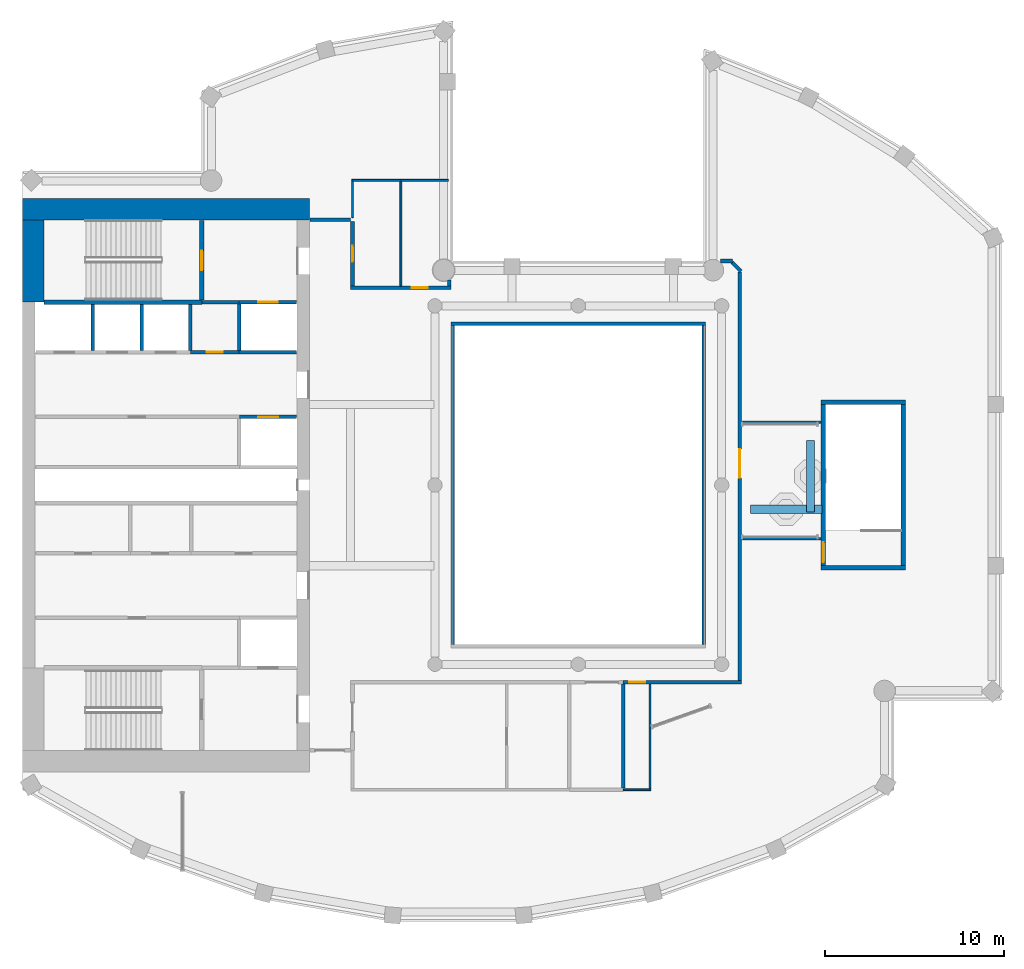
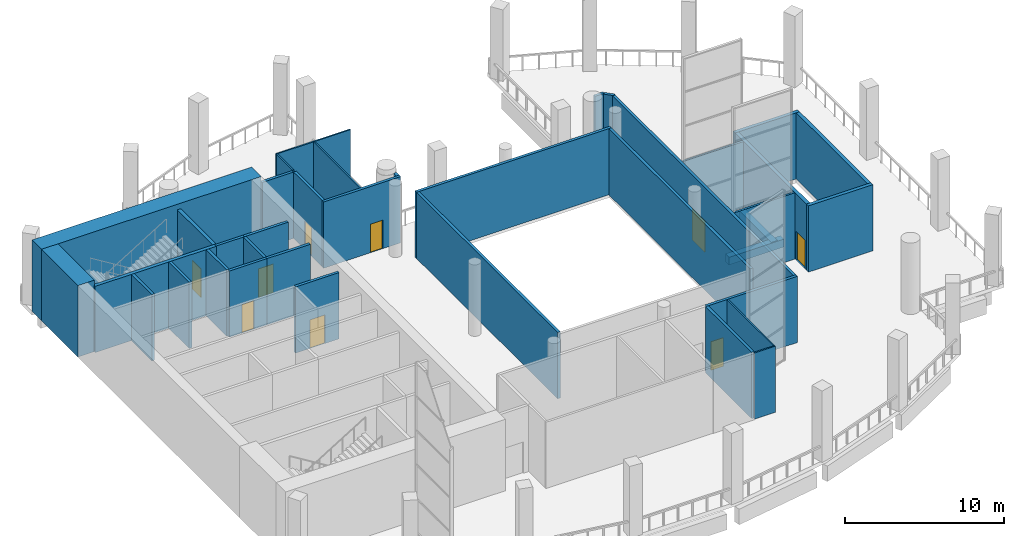
# One storey, part 6 of 12: 39 walls, 9 doors, 9 openings.
"""IFC4 building model written with IfcOpenShell, lengths in metres."""

from ifc_helpers import new_model, si_unit, direction, frame, frame_2d, origin, place, context, subcontext, project, spatial, rectangle, extrude, material, layer, layer_set, type_object, element, fill, save


model = new_model("IFC4")

# Units and contexts
model_context = context("Model", 3, precision=1e-05, world=origin(), true_north=direction((0.0, 1.0)))
body_context = subcontext(model_context, "Body", "Model", "MODEL_VIEW")
ifc_project = project(units=[si_unit("LENGTHUNIT", "METRE"), si_unit("AREAUNIT", "SQUARE_METRE"), si_unit("VOLUMEUNIT", "CUBIC_METRE"), si_unit("PLANEANGLEUNIT", "RADIAN"), si_unit("MASSUNIT", "GRAM", prefix="KILO")], contexts=[model_context])

# Site, building, storey
site_placement = place(None, origin())
site = spatial("IfcSite", under=ifc_project, at=site_placement, CompositionType="ELEMENT")
building_placement = place(site_placement, origin())
building = spatial("IfcBuilding", under=site, at=building_placement, Name="Cypress Arch Tower", CompositionType="ELEMENT")
storey_placement = place(building_placement, frame((0.0, 0.0, 329.5)))
storey = spatial("IfcBuildingStorey", under=building, at=storey_placement, Name="L75", CompositionType="ELEMENT", Elevation=329.5)

# Walls
ifc_material_1 = material(Name="Concrete C60/75", Category="concrete")
ifc_layer_1 = layer(ifc_material_1, 1.199951171875)
ifc_layer_set_1 = layer_set([ifc_layer_1], Name="Core wall CW1200 C60/75")
wall_type_1 = type_object("IfcWallType", Name="Core wall CW1200 C60/75", PredefinedType="SHEAR", material=ifc_layer_set_1)
wall_1_placement = place(storey_placement, frame((-30.0, 15.39990234375, 0.0), z_axis=(0.0, 0.0, 1.0), x_axis=(1.0, 0.0, 0.0)))
element("IfcWall", 1, at=wall_1_placement, inside=storey, type_object=wall_type_1, Name="Core wall", PredefinedType="SHEAR", context=body_context, shape_type="SweptSolid", body=[
    extrude(rectangle(XDim=16.0, YDim=1.199951171875, at=frame_2d((8.0, 0.0))), origin(), (0.0, 0.0, 1.0), 5.5),
])
wall_2_placement = place(storey_placement, frame((-29.39990234375, 10.199951171875, 0.0), z_axis=(0.0, 0.0, 1.0), x_axis=(0.0, 1.0, 0.0)))
element("IfcWall", 2, at=wall_2_placement, inside=storey, type_object=wall_type_1, Name="Core wall", PredefinedType="SHEAR", context=body_context, shape_type="SweptSolid", body=[
    extrude(rectangle(XDim=4.60009765625, YDim=1.199951171875, at=frame_2d((2.300048828125, 0.0))), origin(), (0.0, 0.0, 1.0), 5.5),
])

# Wall, opening, door
ifc_material_2 = material(Name="Concrete blockwork, plastered, rated", Category="masonry")
ifc_layer_2 = layer(ifc_material_2, 0.199951171875)
ifc_layer_set_2 = layer_set([ifc_layer_2], Name="Corridor wall FW200")
wall_type_2 = type_object("IfcWallType", Name="Corridor wall FW200", PredefinedType="PARTITIONING", material=ifc_layer_set_2)
wall_3_placement = place(storey_placement, frame((-20.639892578125, 7.39990234375, 0.0), z_axis=(0.0, 0.0, 1.0), x_axis=(1.0, 0.0, 0.0)))
wall_3 = element("IfcWall", 3, at=wall_3_placement, inside=storey, type_object=wall_type_2, Name="Corridor wall", PredefinedType="PARTITIONING", context=body_context, shape_type="SweptSolid", body=[
    extrude(rectangle(XDim=2.719970703125, YDim=0.199951171875, at=frame_2d((1.35986328125, 0.0))), origin(), (0.0, 0.0, 1.0), 5.097900390625),
])
opening_1_placement = place(wall_3_placement, frame((0.89990234375, 0.0, 0.0)))
opening_1 = element("IfcOpeningElement", 4, at=opening_1_placement, cuts=wall_3, Name="Opening D05", PredefinedType="OPENING", context=body_context, shape_type="SweptSolid", body=[
    extrude(rectangle(XDim=0.89990234375, YDim=2.199951171875, at=frame_2d((0.449951171875, 1.10009765625))), frame((0.0, 0.10986328125, 0.0), z_axis=(0.0, -1.0, 0.0), x_axis=(1.0, 0.0, 0.0)), (0.0, 0.0, 1.0), 0.219970703125),
])
ifc_material_3 = material(Name="Timber flush door", Category="wood")
door_type_1 = type_object("IfcDoorType", Name="Service door D05 900x2200", OperationType="SINGLE_SWING_LEFT", PredefinedType="DOOR", material=ifc_material_3)
door_1_placement = place(opening_1_placement, origin())
door_1 = element("IfcDoor", 5, at=door_1_placement, inside=storey, type_object=door_type_1, Name="Service door", OperationType="SINGLE_SWING_LEFT", OverallHeight=2.199951171875, OverallWidth=0.89990234375, PredefinedType="DOOR", context=body_context, shape_type="SweptSolid", body=[
    extrude(rectangle(XDim=0.89990234375, YDim=2.199951171875, at=frame_2d((0.449951171875, 1.10009765625))), frame((0.0, 0.02490234375, 0.0), z_axis=(0.0, -1.0, 0.0), x_axis=(1.0, 0.0, 0.0)), (0.0, 0.0, 1.0), 0.050048828125),
])
fill(opening_1, door_1)

# Walls
wall_4_placement = place(storey_placement, frame((-20.0, 10.199951171875, 0.0), z_axis=(0.0, 0.0, 1.0), x_axis=(1.0, 0.0, 0.0)))
element("IfcWall", 6, at=wall_4_placement, inside=storey, type_object=wall_type_2, Name="Corridor wall", PredefinedType="PARTITIONING", context=body_context, shape_type="SweptSolid", body=[
    extrude(rectangle(XDim=2.080078125, YDim=0.199951171875, at=frame_2d((1.0400390625, 0.0))), origin(), (0.0, 0.0, 1.0), 5.097900390625),
])
wall_5_placement = place(storey_placement, frame((-13.969970703125, 14.800048828125, 0.0), z_axis=(0.0, 0.0, 1.0), x_axis=(1.0, 0.0, 0.0)))
element("IfcWall", 7, at=wall_5_placement, inside=storey, type_object=wall_type_2, Name="Corridor wall", PredefinedType="PARTITIONING", context=body_context, shape_type="SweptSolid", body=[
    extrude(rectangle(XDim=2.27001953125, YDim=0.199951171875, at=frame_2d((1.135009765625, 0.0))), origin(), (0.0, 0.0, 1.0), 5.097900390625),
])

# Wall, opening, door
wall_6_placement = place(storey_placement, frame((-11.60009765625, 11.10009765625, 0.0), z_axis=(0.0, 0.0, 1.0), x_axis=(0.0, 1.0, 0.0)))
wall_6 = element("IfcWall", 8, at=wall_6_placement, inside=storey, type_object=wall_type_2, Name="Corridor wall", PredefinedType="PARTITIONING", context=body_context, shape_type="SweptSolid", body=[
    extrude(rectangle(XDim=3.599853515625, YDim=0.199951171875, at=frame_2d((1.7998046875, 0.0))), origin(), (0.0, 0.0, 1.0), 5.097900390625),
])
opening_2_placement = place(wall_6_placement, frame((1.35009765625, 0.0, 0.0)))
opening_2 = element("IfcOpeningElement", 9, at=opening_2_placement, cuts=wall_6, Name="Opening D03", PredefinedType="OPENING", context=body_context, shape_type="SweptSolid", body=[
    extrude(rectangle(XDim=0.89990234375, YDim=2.199951171875, at=frame_2d((0.449951171875, 1.10009765625))), frame((0.0, 0.10986328125, 0.0), z_axis=(0.0, -1.0, 0.0), x_axis=(1.0, 0.0, 0.0)), (0.0, 0.0, 1.0), 0.219970703125),
])
ifc_material_4 = material(Name="Timber flush door, moisture resistant", Category="wood")
door_type_2 = type_object("IfcDoorType", Name="Bathroom door D03 900x2200", OperationType="SINGLE_SWING_LEFT", PredefinedType="DOOR", material=ifc_material_4)
door_2_placement = place(opening_2_placement, origin())
door_2 = element("IfcDoor", 10, at=door_2_placement, inside=storey, type_object=door_type_2, Name="Bathroom door", OperationType="SINGLE_SWING_RIGHT", OverallHeight=2.199951171875, OverallWidth=0.89990234375, PredefinedType="DOOR", context=body_context, shape_type="SweptSolid", body=[
    extrude(rectangle(XDim=0.89990234375, YDim=2.199951171875, at=frame_2d((0.449951171875, 1.10009765625))), frame((0.0, 0.02490234375, 0.0), z_axis=(0.0, -1.0, 0.0), x_axis=(1.0, 0.0, 0.0)), (0.0, 0.0, 1.0), 0.050048828125),
])
fill(opening_2, door_2)

wall_7_placement = place(storey_placement, frame((-11.699951171875, 11.0, 0.0), z_axis=(0.0, 0.0, 1.0), x_axis=(1.0, 0.0, 0.0)))
wall_7 = element("IfcWall", 11, at=wall_7_placement, inside=storey, type_object=wall_type_2, Name="Corridor wall", PredefinedType="PARTITIONING", context=body_context, shape_type="SweptSolid", body=[
    extrude(rectangle(XDim=5.599853515625, YDim=0.199951171875, at=frame_2d((2.7998046875, 0.0))), origin(), (0.0, 0.0, 1.0), 5.097900390625),
])
opening_3_placement = place(wall_7_placement, frame((3.39990234375, 0.0, 0.0)))
opening_3 = element("IfcOpeningElement", 12, at=opening_3_placement, cuts=wall_7, Name="Opening D03", PredefinedType="OPENING", context=body_context, shape_type="SweptSolid", body=[
    extrude(rectangle(XDim=0.89990234375, YDim=2.199951171875, at=frame_2d((0.449951171875, 1.10009765625))), frame((0.0, 0.10986328125, 0.0), z_axis=(0.0, -1.0, 0.0), x_axis=(1.0, 0.0, 0.0)), (0.0, 0.0, 1.0), 0.219970703125),
])
door_3_placement = place(opening_3_placement, origin())
door_3 = element("IfcDoor", 13, at=door_3_placement, inside=storey, type_object=door_type_2, Name="Bathroom door", OperationType="SINGLE_SWING_LEFT", OverallHeight=2.199951171875, OverallWidth=0.89990234375, PredefinedType="DOOR", context=body_context, shape_type="SweptSolid", body=[
    extrude(rectangle(XDim=0.89990234375, YDim=2.199951171875, at=frame_2d((0.449951171875, 1.10009765625))), frame((0.0, 0.02490234375, 0.0), z_axis=(0.0, -1.0, 0.0), x_axis=(1.0, 0.0, 0.0)), (0.0, 0.0, 1.0), 0.050048828125),
])
fill(opening_3, door_3)

# Walls
wall_8_placement = place(storey_placement, frame((-6.199951171875, 11.10009765625, 0.0), z_axis=(0.0, 0.0, 1.0), x_axis=(0.0, 1.0, 0.0)))
element("IfcWall", 14, at=wall_8_placement, inside=storey, type_object=wall_type_2, Name="Corridor wall", PredefinedType="PARTITIONING", context=body_context, shape_type="SweptSolid", body=[
    extrude(rectangle(XDim=0.337646484375, YDim=0.199951171875, at=frame_2d((0.1689453125, 0.0))), origin(), (0.0, 0.0, 1.0), 5.097900390625),
])
wall_9_placement = place(storey_placement, frame((-6.0, -8.89990234375, 0.0), z_axis=(0.0, 0.0, 1.0), x_axis=(0.0, 1.0, 0.0)))
element("IfcWall", 15, at=wall_9_placement, inside=storey, type_object=wall_type_2, Name="Corridor wall", PredefinedType="PARTITIONING", context=body_context, shape_type="SweptSolid", body=[
    extrude(rectangle(XDim=17.7998046875, YDim=0.199951171875, at=frame_2d((8.89990234375, 0.0))), origin(), (0.0, 0.0, 1.0), 5.097900390625),
])
wall_10_placement = place(storey_placement, frame((-6.10009765625, 9.0, 0.0), z_axis=(0.0, 0.0, 1.0), x_axis=(1.0, 0.0, 0.0)))
element("IfcWall", 16, at=wall_10_placement, inside=storey, type_object=wall_type_2, Name="Corridor wall", PredefinedType="PARTITIONING", context=body_context, shape_type="SweptSolid", body=[
    extrude(rectangle(XDim=14.2001953125, YDim=0.199951171875, at=frame_2d((7.10009765625, 0.0))), origin(), (0.0, 0.0, 1.0), 5.097900390625),
])

# Wall, opening, door
wall_11_placement = place(storey_placement, frame((3.47998046875, -11.0, 0.0), z_axis=(0.0, 0.0, 1.0), x_axis=(1.0, 0.0, 0.0)))
wall_11 = element("IfcWall", 17, at=wall_11_placement, inside=storey, type_object=wall_type_2, Name="Corridor wall", PredefinedType="PARTITIONING", context=body_context, shape_type="SweptSolid", body=[
    extrude(rectangle(XDim=6.6201171875, YDim=0.199951171875, at=frame_2d((3.31005859375, 0.0))), origin(), (0.0, 0.0, 1.0), 5.097900390625),
])
opening_4_placement = place(wall_11_placement, frame((0.35009765625, 0.0, 0.0)))
opening_4 = element("IfcOpeningElement", 18, at=opening_4_placement, cuts=wall_11, Name="Opening D03", PredefinedType="OPENING", context=body_context, shape_type="SweptSolid", body=[
    extrude(rectangle(XDim=0.89990234375, YDim=2.199951171875, at=frame_2d((0.449951171875, 1.10009765625))), frame((0.0, 0.10986328125, 0.0), z_axis=(0.0, -1.0, 0.0), x_axis=(1.0, 0.0, 0.0)), (0.0, 0.0, 1.0), 0.219970703125),
])
door_4_placement = place(opening_4_placement, origin())
door_4 = element("IfcDoor", 19, at=door_4_placement, inside=storey, type_object=door_type_2, Name="Bathroom door", OperationType="SINGLE_SWING_LEFT", OverallHeight=2.199951171875, OverallWidth=0.89990234375, PredefinedType="DOOR", context=body_context, shape_type="SweptSolid", body=[
    extrude(rectangle(XDim=0.89990234375, YDim=2.199951171875, at=frame_2d((0.449951171875, 1.10009765625))), frame((0.0, 0.02490234375, 0.0), z_axis=(0.0, -1.0, 0.0), x_axis=(1.0, 0.0, 0.0)), (0.0, 0.0, 1.0), 0.050048828125),
])
fill(opening_4, door_4)

# Walls
wall_12_placement = place(storey_placement, frame((8.0, -8.89990234375, 0.0), z_axis=(0.0, 0.0, 1.0), x_axis=(0.0, 1.0, 0.0)))
element("IfcWall", 20, at=wall_12_placement, inside=storey, type_object=wall_type_2, Name="Corridor wall", PredefinedType="PARTITIONING", context=body_context, shape_type="SweptSolid", body=[
    extrude(rectangle(XDim=17.7998046875, YDim=0.199951171875, at=frame_2d((8.89990234375, 0.0))), origin(), (0.0, 0.0, 1.0), 5.097900390625),
])
wall_13_placement = place(storey_placement, frame((8.9306640625, 12.5, 0.0), z_axis=(0.0, 0.0, 1.0), x_axis=(1.0, 0.0, 0.0)))
element("IfcWall", 21, at=wall_13_placement, inside=storey, type_object=wall_type_2, Name="Corridor wall", PredefinedType="PARTITIONING", context=body_context, shape_type="SweptSolid", body=[
    extrude(rectangle(XDim=0.66943359375, YDim=0.199951171875, at=frame_2d((0.334716796875, 0.0))), origin(), (0.0, 0.0, 1.0), 5.097900390625),
])
wall_14_placement = place(storey_placement, frame((9.57080078125, 12.42919921875, 0.0), z_axis=(0.0, 0.0, 1.0), x_axis=(0.707106781187, -0.707106781187, 0.0)))
element("IfcWall", 22, at=wall_14_placement, inside=storey, type_object=wall_type_2, Name="Corridor wall", PredefinedType="PARTITIONING", context=body_context, shape_type="SweptSolid", body=[
    extrude(rectangle(XDim=0.70703125, YDim=0.199951171875, at=frame_2d((0.353515625, 0.0))), origin(), (0.0, 0.0, 1.0), 5.097900390625),
])

# Wall, opening, door
wall_15_placement = place(storey_placement, frame((10.0, -10.89990234375, 0.0), z_axis=(0.0, 0.0, 1.0), x_axis=(0.0, 1.0, 0.0)))
wall_15 = element("IfcWall", 23, at=wall_15_placement, inside=storey, type_object=wall_type_2, Name="Corridor wall", PredefinedType="PARTITIONING", context=body_context, shape_type="SweptSolid", body=[
    extrude(rectangle(XDim=22.7998046875, YDim=0.199951171875, at=frame_2d((11.39990234375, 0.0))), origin(), (0.0, 0.0, 1.0), 5.097900390625),
])
opening_5_placement = place(wall_15_placement, frame((11.300048828125, 0.0, 0.0)))
opening_5 = element("IfcOpeningElement", 24, at=opening_5_placement, cuts=wall_15, Name="Opening D10", PredefinedType="OPENING", context=body_context, shape_type="SweptSolid", body=[
    extrude(rectangle(XDim=1.60009765625, YDim=2.39990234375, at=frame_2d((0.800048828125, 1.199951171875))), frame((0.0, 0.10986328125, 0.0), z_axis=(0.0, -1.0, 0.0), x_axis=(1.0, 0.0, 0.0)), (0.0, 0.0, 1.0), 0.219970703125),
])
ifc_material_5 = material(Name="Black aluminium glazed door", Category="aluminium")
door_type_3 = type_object("IfcDoorType", Name="Amenity door D10 1600x2400", OperationType="DOUBLE_DOOR_SINGLE_SWING", PredefinedType="DOOR", material=ifc_material_5)
door_5_placement = place(opening_5_placement, origin())
door_5 = element("IfcDoor", 25, at=door_5_placement, inside=storey, type_object=door_type_3, Name="Amenity door", OperationType="DOUBLE_DOOR_SINGLE_SWING", OverallHeight=2.39990234375, OverallWidth=1.60009765625, PredefinedType="DOOR", context=body_context, shape_type="SweptSolid", body=[
    extrude(rectangle(XDim=1.60009765625, YDim=2.39990234375, at=frame_2d((0.800048828125, 1.199951171875))), frame((0.0, 0.02490234375, 0.0), z_axis=(0.0, -1.0, 0.0), x_axis=(1.0, 0.0, 0.0)), (0.0, 0.0, 1.0), 0.050048828125),
])
fill(opening_5, door_5)

# Walls
ifc_material_6 = material(Name="Concrete C40/50, waterproofed", Category="concrete")
ifc_layer_3 = layer(ifc_material_6, 0.449951171875)
ifc_layer_set_3 = layer_set([ifc_layer_3], Name="Deck planter wall PW450-D")
wall_type_3 = type_object("IfcWallType", Name="Deck planter wall PW450-D", PredefinedType="SOLIDWALL", material=ifc_layer_set_3)
for number, where, z_axis, x_axis, name in (
    (26, (13.949951171875, 2.5, 0.0), (0.0, 0.0, 1.0), (0.0, -1.0, 0.0), "Deck planter wall L75 E1.1"),
    (27, (14.60009765625, -1.35009765625, 0.0), (0.0, 0.0, 1.0), (-1.0, 0.0, 0.0), "Deck planter wall L75 E2.1"),
):
    element("IfcWall", number, at=place(storey_placement, frame(where, z_axis=z_axis, x_axis=x_axis)), inside=storey, type_object=wall_type_3, Name=name, PredefinedType="SOLIDWALL", context=body_context, shape_type="SweptSolid", body=[
        extrude(rectangle(XDim=4.0, YDim=0.449951171875, at=frame_2d((2.0, 0.0))), origin(), (0.0, 0.0, 1.0), 0.60009765625),
    ])
ifc_material_7 = material(Name="Blockwork, plastered both sides", Category="masonry")
ifc_layer_4 = layer(ifc_material_7, 0.14990234375)
ifc_layer_set_4 = layer_set([ifc_layer_4], Name="Partition PW150")
wall_type_4 = type_object("IfcWallType", Name="Partition PW150", PredefinedType="PARTITIONING", material=ifc_layer_set_4)
for number, where, z_axis, x_axis, name in (
    (28, (10.10205078125, -3.0, 0.0), (0.0, 0.0, 1.0), (1.0, 0.0, 0.0), "Partition"),
    (29, (10.10205078125, 3.5, 0.0), (0.0, 0.0, 1.0), (1.0, 0.0, 0.0), "Partition"),
):
    element("IfcWall", number, at=place(storey_placement, frame(where, z_axis=z_axis, x_axis=x_axis)), inside=storey, type_object=wall_type_4, Name=name, PredefinedType="PARTITIONING", context=body_context, shape_type="SweptSolid", body=[
        extrude(rectangle(XDim=4.447998046875, YDim=0.14990234375, at=frame_2d((2.22412109375, 0.0))), origin(), (0.0, 0.0, 1.0), 5.097900390625),
    ])
ifc_material_8 = material(Name="Reinforced blockwork, plastered, rated", Category="masonry")
ifc_layer_5 = layer(ifc_material_8, 0.199951171875)
ifc_layer_set_5 = layer_set([ifc_layer_5], Name="Plant and riser wall PL200")
wall_type_5 = type_object("IfcWallType", Name="Plant and riser wall PL200", PredefinedType="PARTITIONING", material=ifc_layer_set_5)
wall_16_placement = place(storey_placement, frame((3.5, -16.89990234375, 0.0), z_axis=(0.0, 0.0, 1.0), x_axis=(0.0, 1.0, 0.0)))
element("IfcWall", 30, at=wall_16_placement, inside=storey, type_object=wall_type_5, Name="Plant and riser wall", PredefinedType="PARTITIONING", context=body_context, shape_type="SweptSolid", body=[
    extrude(rectangle(XDim=5.7998046875, YDim=0.199951171875, at=frame_2d((2.89990234375, 0.0))), origin(), (0.0, 0.0, 1.0), 5.097900390625),
])
ifc_material_9 = material(Name="Concrete C50/60", Category="concrete")
ifc_layer_6 = layer(ifc_material_9, 0.199951171875)
ifc_layer_set_6 = layer_set([ifc_layer_6], Name="Shaft wall SH200")
wall_type_6 = type_object("IfcWallType", Name="Shaft wall SH200", PredefinedType="SHEAR", material=ifc_layer_set_6)
for number, where, z_axis, x_axis, name in (
    (31, (-26.080078125, 7.5, 0.0), (0.0, 0.0, 1.0), (0.0, 1.0, 0.0), "Shaft wall"),
    (32, (-23.360107421875, 7.5, 0.0), (0.0, 0.0, 1.0), (0.0, 1.0, 0.0), "Shaft wall"),
    (33, (-20.639892578125, 7.5, 0.0), (0.0, 0.0, 1.0), (0.0, 1.0, 0.0), "Shaft wall"),
):
    element("IfcWall", number, at=place(storey_placement, frame(where, z_axis=z_axis, x_axis=x_axis)), inside=storey, type_object=wall_type_6, Name=name, PredefinedType="SHEAR", context=body_context, shape_type="SweptSolid", body=[
        extrude(rectangle(XDim=2.574951171875, YDim=0.199951171875, at=frame_2d((1.28759765625, 0.0))), origin(), (0.0, 0.0, 1.0), 5.097900390625),
    ])

# Wall, opening, door
wall_17_placement = place(storey_placement, frame((-17.89990234375, 3.800048828125, 0.0), z_axis=(0.0, 0.0, 1.0), x_axis=(1.0, 0.0, 0.0)))
wall_17 = element("IfcWall", 34, at=wall_17_placement, inside=storey, type_object=wall_type_6, Name="Shaft wall", PredefinedType="SHEAR", context=body_context, shape_type="SweptSolid", body=[
    extrude(rectangle(XDim=3.169921875, YDim=0.199951171875, at=frame_2d((1.5849609375, 0.0))), origin(), (0.0, 0.0, 1.0), 5.097900390625),
])
opening_6_placement = place(wall_17_placement, frame((1.050048828125, 0.0, 0.0)))
opening_6 = element("IfcOpeningElement", 35, at=opening_6_placement, cuts=wall_17, Name="Opening LD-HR4", PredefinedType="OPENING", context=body_context, shape_type="SweptSolid", body=[
    extrude(rectangle(XDim=1.10009765625, YDim=2.199951171875, at=frame_2d((0.550048828125, 1.10009765625))), frame((0.0, 0.10986328125, 0.0), z_axis=(0.0, -1.0, 0.0), x_axis=(1.0, 0.0, 0.0)), (0.0, 0.0, 1.0), 0.219970703125),
])
ifc_material_10 = material(Name="Stainless steel centre-opening landing door, rated", Category="steel")
door_type_4 = type_object("IfcDoorType", Name="Lift landing door LD 1100x2200", OperationType="DOUBLE_DOOR_SLIDING", PredefinedType="DOOR", material=ifc_material_10)
door_6_placement = place(opening_6_placement, origin())
door_6 = element("IfcDoor", 36, at=door_6_placement, inside=storey, type_object=door_type_4, Name="Lift landing doors HR4", OperationType="DOUBLE_DOOR_SLIDING", OverallHeight=2.199951171875, OverallWidth=1.10009765625, PredefinedType="DOOR", context=body_context, shape_type="SweptSolid", body=[
    extrude(rectangle(XDim=1.10009765625, YDim=2.199951171875, at=frame_2d((0.550048828125, 1.10009765625))), frame((0.0, 0.02490234375, 0.0), z_axis=(0.0, -1.0, 0.0), x_axis=(1.0, 0.0, 0.0)), (0.0, 0.0, 1.0), 0.050048828125),
])
fill(opening_6, door_6)

# Walls
wall_18_placement = place(storey_placement, frame((-17.919921875, 7.5, 0.0), z_axis=(0.0, 0.0, 1.0), x_axis=(0.0, 1.0, 0.0)))
element("IfcWall", 37, at=wall_18_placement, inside=storey, type_object=wall_type_6, Name="Shaft wall", PredefinedType="SHEAR", context=body_context, shape_type="SweptSolid", body=[
    extrude(rectangle(XDim=2.60009765625, YDim=0.199951171875, at=frame_2d((1.300048828125, 0.0))), origin(), (0.0, 0.0, 1.0), 5.097900390625),
])
wall_19_placement = place(storey_placement, frame((-17.919921875, 7.39990234375, 0.0), z_axis=(0.0, 0.0, 1.0), x_axis=(1.0, 0.0, 0.0)))
element("IfcWall", 38, at=wall_19_placement, inside=storey, type_object=wall_type_6, Name="Shaft wall", PredefinedType="SHEAR", context=body_context, shape_type="SweptSolid", body=[
    extrude(rectangle(XDim=3.18994140625, YDim=0.199951171875, at=frame_2d((1.594970703125, 0.0))), origin(), (0.0, 0.0, 1.0), 5.097900390625),
])

# Wall, opening, door
wall_20_placement = place(storey_placement, frame((-17.919921875, 10.199951171875, 0.0), z_axis=(0.0, 0.0, 1.0), x_axis=(1.0, 0.0, 0.0)))
wall_20 = element("IfcWall", 39, at=wall_20_placement, inside=storey, type_object=wall_type_6, Name="Shaft wall", PredefinedType="SHEAR", context=body_context, shape_type="SweptSolid", body=[
    extrude(rectangle(XDim=3.18994140625, YDim=0.199951171875, at=frame_2d((1.594970703125, 0.0))), origin(), (0.0, 0.0, 1.0), 5.097900390625),
])
opening_7_placement = place(wall_20_placement, frame((1.050048828125, 0.0, 0.0)))
opening_7 = element("IfcOpeningElement", 40, at=opening_7_placement, cuts=wall_20, Name="Opening LD-FL2", PredefinedType="OPENING", context=body_context, shape_type="SweptSolid", body=[
    extrude(rectangle(XDim=1.10009765625, YDim=2.199951171875, at=frame_2d((0.550048828125, 1.10009765625))), frame((0.0, 0.10986328125, 0.0), z_axis=(0.0, -1.0, 0.0), x_axis=(1.0, 0.0, 0.0)), (0.0, 0.0, 1.0), 0.219970703125),
])
door_7_placement = place(opening_7_placement, origin())
door_7 = element("IfcDoor", 41, at=door_7_placement, inside=storey, type_object=door_type_4, Name="Lift landing doors FL2", OperationType="DOUBLE_DOOR_SLIDING", OverallHeight=2.199951171875, OverallWidth=1.10009765625, PredefinedType="DOOR", context=body_context, shape_type="SweptSolid", body=[
    extrude(rectangle(XDim=1.10009765625, YDim=2.199951171875, at=frame_2d((0.550048828125, 1.10009765625))), frame((0.0, 0.02490234375, 0.0), z_axis=(0.0, -1.0, 0.0), x_axis=(1.0, 0.0, 0.0)), (0.0, 0.0, 1.0), 0.050048828125),
])
fill(opening_7, door_7)

# Wall
ifc_material_11 = material(Name="Concrete C50/60", Category="concrete")
ifc_layer_7 = layer(ifc_material_11, 0.25)
ifc_layer_set_7 = layer_set([ifc_layer_7], Name="Stair enclosure wall SW250")
wall_type_7 = type_object("IfcWallType", Name="Stair enclosure wall SW250", PredefinedType="SHEAR", material=ifc_layer_set_7)
wall_21_placement = place(storey_placement, frame((-28.81005859375, 10.199951171875, 0.0), z_axis=(0.0, 0.0, 1.0), x_axis=(1.0, 0.0, 0.0)))
element("IfcWall", 42, at=wall_21_placement, inside=storey, type_object=wall_type_7, Name="Stair enclosure wall", PredefinedType="SHEAR", context=body_context, shape_type="SweptSolid", body=[
    extrude(rectangle(XDim=8.81005859375, YDim=0.25, at=frame_2d((4.405029296875, 0.0))), origin(), (0.0, 0.0, 1.0), 5.097900390625),
])

# Wall, opening, door
wall_22_placement = place(storey_placement, frame((-20.0, 10.324951171875, 0.0), z_axis=(0.0, 0.0, 1.0), x_axis=(0.0, 1.0, 0.0)))
wall_22 = element("IfcWall", 43, at=wall_22_placement, inside=storey, type_object=wall_type_7, Name="Stair enclosure wall", PredefinedType="SHEAR", context=body_context, shape_type="SweptSolid", body=[
    extrude(rectangle(XDim=4.445068359375, YDim=0.25, at=frame_2d((2.22265625, 0.0))), origin(), (0.0, 0.0, 1.0), 5.097900390625),
])
opening_8_placement = place(wall_22_placement, frame((1.64990234375, 0.0, 0.0)))
opening_8 = element("IfcOpeningElement", 44, at=opening_8_placement, cuts=wall_22, Name="Opening D06", PredefinedType="OPENING", context=body_context, shape_type="SweptSolid", body=[
    extrude(rectangle(XDim=1.10009765625, YDim=2.199951171875, at=frame_2d((0.550048828125, 1.10009765625))), frame((0.0, 0.135009765625, 0.0), z_axis=(0.0, -1.0, 0.0), x_axis=(1.0, 0.0, 0.0)), (0.0, 0.0, 1.0), 0.27001953125),
])
ifc_material_12 = material(Name="Steel door, fire resisting, panic bar", Category="steel")
door_type_5 = type_object("IfcDoorType", Name="Stair door D06 1100x2200", OperationType="SINGLE_SWING_LEFT", PredefinedType="DOOR", material=ifc_material_12)
door_8_placement = place(opening_8_placement, origin())
door_8 = element("IfcDoor", 45, at=door_8_placement, inside=storey, type_object=door_type_5, Name="Stair door", OperationType="SINGLE_SWING_LEFT", OverallHeight=2.199951171875, OverallWidth=1.10009765625, PredefinedType="DOOR", context=body_context, shape_type="SweptSolid", body=[
    extrude(rectangle(XDim=1.10009765625, YDim=2.199951171875, at=frame_2d((0.550048828125, 1.10009765625))), frame((0.0, 0.02490234375, 0.0), z_axis=(0.0, -1.0, 0.0), x_axis=(1.0, 0.0, 0.0)), (0.0, 0.0, 1.0), 0.050048828125),
])
fill(opening_8, door_8)

wall_23_placement = place(storey_placement, frame((14.675048828125, -4.5, 0.0), z_axis=(0.0, 0.0, 1.0), x_axis=(0.0, 1.0, 0.0)))
wall_23 = element("IfcWall", 46, at=wall_23_placement, inside=storey, type_object=wall_type_7, Name="Stair enclosure wall", PredefinedType="SHEAR", context=body_context, shape_type="SweptSolid", body=[
    extrude(rectangle(XDim=9.0, YDim=0.25, at=frame_2d((4.5, 0.0))), origin(), (0.0, 0.0, 1.0), 5.097900390625),
])
opening_9_placement = place(wall_23_placement, frame((0.199951171875, 0.0, 0.0)))
opening_9 = element("IfcOpeningElement", 47, at=opening_9_placement, cuts=wall_23, Name="Opening D06", PredefinedType="OPENING", context=body_context, shape_type="SweptSolid", body=[
    extrude(rectangle(XDim=1.10009765625, YDim=2.199951171875, at=frame_2d((0.550048828125, 1.10009765625))), frame((0.0, 0.135009765625, 0.0), z_axis=(0.0, -1.0, 0.0), x_axis=(1.0, 0.0, 0.0)), (0.0, 0.0, 1.0), 0.27001953125),
])
door_9_placement = place(opening_9_placement, origin())
door_9 = element("IfcDoor", 48, at=door_9_placement, inside=storey, type_object=door_type_5, Name="Stair door", OperationType="SINGLE_SWING_RIGHT", OverallHeight=2.199951171875, OverallWidth=1.10009765625, PredefinedType="DOOR", context=body_context, shape_type="SweptSolid", body=[
    extrude(rectangle(XDim=1.10009765625, YDim=2.199951171875, at=frame_2d((0.550048828125, 1.10009765625))), frame((0.0, 0.02490234375, 0.0), z_axis=(0.0, -1.0, 0.0), x_axis=(1.0, 0.0, 0.0)), (0.0, 0.0, 1.0), 0.050048828125),
])
fill(opening_9, door_9)

# Walls
for number, where, z_axis, x_axis, name in (
    (49, (14.550048828125, -4.625, 0.0), (0.0, 0.0, 1.0), (1.0, 0.0, 0.0), "Stair enclosure wall"),
    (50, (14.550048828125, 4.625, 0.0), (0.0, 0.0, 1.0), (1.0, 0.0, 0.0), "Stair enclosure wall"),
):
    element("IfcWall", number, at=place(storey_placement, frame(where, z_axis=z_axis, x_axis=x_axis)), inside=storey, type_object=wall_type_7, Name=name, PredefinedType="SHEAR", context=body_context, shape_type="SweptSolid", body=[
        extrude(rectangle(XDim=4.699951171875, YDim=0.25, at=frame_2d((2.35009765625, 0.0))), origin(), (0.0, 0.0, 1.0), 5.097900390625),
    ])
wall_24_placement = place(storey_placement, frame((19.125, -4.5, 0.0), z_axis=(0.0, 0.0, 1.0), x_axis=(0.0, 1.0, 0.0)))
element("IfcWall", 51, at=wall_24_placement, inside=storey, type_object=wall_type_7, Name="Stair enclosure wall", PredefinedType="SHEAR", context=body_context, shape_type="SweptSolid", body=[
    extrude(rectangle(XDim=9.0, YDim=0.25, at=frame_2d((4.5, 0.0))), origin(), (0.0, 0.0, 1.0), 5.097900390625),
])
ifc_material_13 = material(Name="Moisture resistant board on steel studs, tiled", Category="steel")
ifc_layer_8 = layer(ifc_material_13, 0.10009765625)
ifc_layer_set_8 = layer_set([ifc_layer_8], Name="Wet wall PW100")
wall_type_8 = type_object("IfcWallType", Name="Wet wall PW100", PredefinedType="PARTITIONING", material=ifc_layer_set_8)
wall_25_placement = place(storey_placement, frame((-11.60009765625, 14.919921875, 0.0), z_axis=(0.0, 0.0, 1.0), x_axis=(0.0, 1.0, 0.0)))
element("IfcWall", 52, at=wall_25_placement, inside=storey, type_object=wall_type_8, Name="Wet wall", PredefinedType="PARTITIONING", context=body_context, shape_type="SweptSolid", body=[
    extrude(rectangle(XDim=2.030029296875, YDim=0.10009765625, at=frame_2d((1.01513671875, 0.0))), origin(), (0.0, 0.0, 1.0), 5.097900390625),
])
wall_26_placement = place(storey_placement, frame((-11.64990234375, 17.0, 0.0), z_axis=(0.0, 0.0, 1.0), x_axis=(1.0, 0.0, 0.0)))
element("IfcWall", 53, at=wall_26_placement, inside=storey, type_object=wall_type_8, Name="Wet wall", PredefinedType="PARTITIONING", context=body_context, shape_type="SweptSolid", body=[
    extrude(rectangle(XDim=2.75, YDim=0.10009765625, at=frame_2d((1.375, 0.0))), origin(), (0.0, 0.0, 1.0), 5.097900390625),
])
wall_27_placement = place(storey_placement, frame((-8.89990234375, 11.10009765625, 0.0), z_axis=(0.0, 0.0, 1.0), x_axis=(0.0, 1.0, 0.0)))
element("IfcWall", 54, at=wall_27_placement, inside=storey, type_object=wall_type_8, Name="Wet wall", PredefinedType="PARTITIONING", context=body_context, shape_type="SweptSolid", body=[
    extrude(rectangle(XDim=5.849853515625, YDim=0.10009765625, at=frame_2d((2.9248046875, 0.0))), origin(), (0.0, 0.0, 1.0), 5.097900390625),
])
wall_28_placement = place(storey_placement, frame((-8.8798828125, 17.0, 0.0), z_axis=(0.0, 0.0, 1.0), x_axis=(1.0, 0.0, 0.0)))
element("IfcWall", 55, at=wall_28_placement, inside=storey, type_object=wall_type_8, Name="Wet wall", PredefinedType="PARTITIONING", context=body_context, shape_type="SweptSolid", body=[
    extrude(rectangle(XDim=2.634765625, YDim=0.10009765625, at=frame_2d((1.3173828125, 0.0))), origin(), (0.0, 0.0, 1.0), 5.097900390625),
])
wall_29_placement = place(storey_placement, frame((3.52001953125, -17.0, 0.0), z_axis=(0.0, 0.0, 1.0), x_axis=(1.0, 0.0, 0.0)))
element("IfcWall", 56, at=wall_29_placement, inside=storey, type_object=wall_type_8, Name="Wet wall", PredefinedType="PARTITIONING", context=body_context, shape_type="SweptSolid", body=[
    extrude(rectangle(XDim=1.530029296875, YDim=0.10009765625, at=frame_2d((0.76513671875, 0.0))), origin(), (0.0, 0.0, 1.0), 5.097900390625),
])
wall_30_placement = place(storey_placement, frame((5.0, -16.949951171875, 0.0), z_axis=(0.0, 0.0, 1.0), x_axis=(0.0, 1.0, 0.0)))
element("IfcWall", 57, at=wall_30_placement, inside=storey, type_object=wall_type_8, Name="Wet wall", PredefinedType="PARTITIONING", context=body_context, shape_type="SweptSolid", body=[
    extrude(rectangle(XDim=5.849853515625, YDim=0.10009765625, at=frame_2d((2.9248046875, 0.0))), origin(), (0.0, 0.0, 1.0), 5.097900390625),
])

save(model, "model.ifc")
